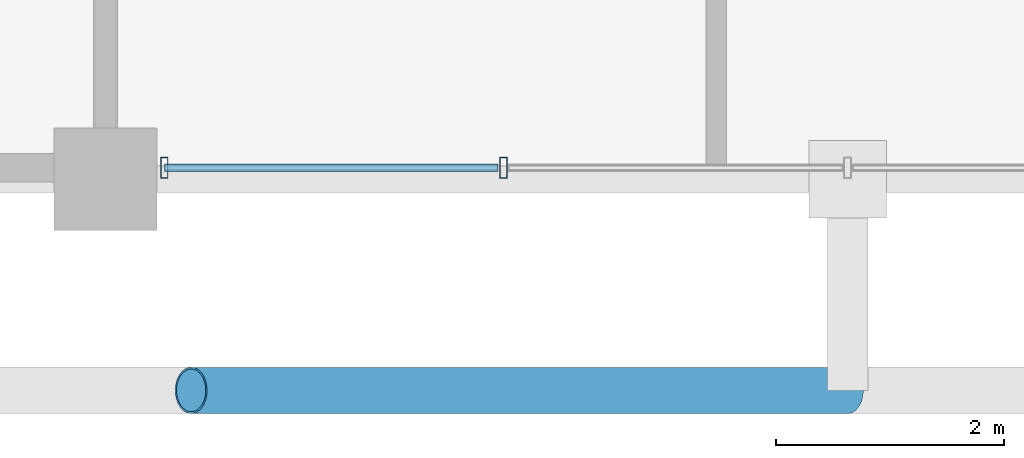
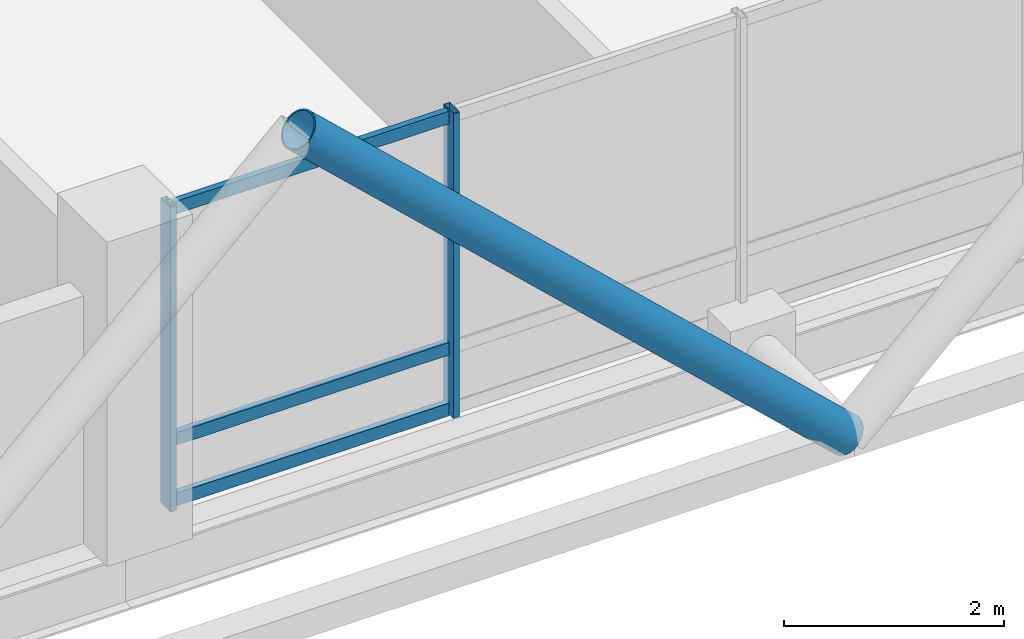
# One storey, part 2 of 24: 6 members, 1 element without a shape of its own.
"""IFC4 building model written with IfcOpenShell, lengths in metres."""

from ifc_helpers import new_model, si_unit, direction, frame, origin, origin_2d, place, context, subcontext, project, spatial, hollow_rectangle, hollow_circle, extrude, material, layer, layer_set, material_profile, profile_set, type_object, element, aggregate, save


model = new_model("IFC4")

# Units and contexts
model_context = context("Model", 3, precision=1e-05, world=origin(), true_north=direction((0.0, 1.0)))
body_context = subcontext(model_context, "Body", "Model", "MODEL_VIEW")
ifc_project = project(units=[si_unit("LENGTHUNIT", "METRE"), si_unit("AREAUNIT", "SQUARE_METRE"), si_unit("VOLUMEUNIT", "CUBIC_METRE"), si_unit("PLANEANGLEUNIT", "RADIAN"), si_unit("MASSUNIT", "GRAM", prefix="KILO")], contexts=[model_context])

# Site, building, storey
site_placement = place(None, origin())
site = spatial("IfcSite", under=ifc_project, at=site_placement, CompositionType="ELEMENT")
building_placement = place(site_placement, origin())
building = spatial("IfcBuilding", under=site, at=building_placement, Name="Barlavira Tower and Art Museum", CompositionType="ELEMENT")
storey_placement = place(building_placement, frame((0.0, 0.0, 294.300048828125)))
storey = spatial("IfcBuildingStorey", under=building, at=storey_placement, Name="L77", CompositionType="ELEMENT", Elevation=294.300048828125)

# Curtain wall, members
ifc_material_1 = material(Name="Low-iron coastal laminated glass", Category="glass")
ifc_layer = layer(ifc_material_1, 0.2099609375, Name="Low-iron coastal laminated glass")
ifc_layer_set = layer_set([ifc_layer], Name="Low-iron coastal laminated glass")
curtain_wall_type = type_object("IfcCurtainWallType", Name="Pale-Metal Unitised Curtain Wall Zone 4", PredefinedType="NOTDEFINED", material=ifc_layer_set)
curtain_wall_placement = place(storey_placement, origin())
curtain_wall = element("IfcCurtainWall", 1, at=curtain_wall_placement, inside=storey, type_object=curtain_wall_type, Name="L77 Curtain Wall CW4-L77-S-B2", PredefinedType="NOTDEFINED")
ifc_material_2 = material(Name="Pale anodised aluminium", Category="aluminium")
ifc_material_profile_1 = material_profile(ifc_material_2, hollow_rectangle(XDim=0.06494140625, YDim=0.179931640625, WallThickness=0.00390625, at=origin_2d()), Name="ALU-MULL 65x180x4")
ifc_profile_set_1 = profile_set([ifc_material_profile_1], Name="Pale anodised aluminium")
member_type_1 = type_object("IfcMemberType", Name="Curtain Wall Pale-Metal Mullion 65x180", PredefinedType="MULLION", material=ifc_profile_set_1)
member_1_placement = place(storey_placement, frame((-5.985107421875, -19.89990234375, 0.0), z_axis=(0.0, 0.0, 1.0), x_axis=(1.0, 0.0, 0.0)))
member_1 = element("IfcMember", 2, at=member_1_placement, type_object=member_type_1, Name="CW4-L77-S-B2 Mullion 0", PredefinedType="MULLION", context=body_context, shape_type="SweptSolid", body=[
    extrude(hollow_rectangle(XDim=0.06494140625, YDim=0.179931640625, WallThickness=0.00390625, at=origin_2d()), origin(), (0.0, 0.0, 1.0), 3.3798828125),
])
member_2_placement = place(storey_placement, frame((-3.014892578125, -19.89990234375, 0.0), z_axis=(0.0, 0.0, 1.0), x_axis=(1.0, 0.0, 0.0)))
member_2 = element("IfcMember", 3, at=member_2_placement, type_object=member_type_1, Name="CW4-L77-S-B2 Mullion 1", PredefinedType="MULLION", context=body_context, shape_type="SweptSolid", body=[
    extrude(hollow_rectangle(XDim=0.06494140625, YDim=0.179931640625, WallThickness=0.00390625, at=origin_2d()), origin(), (0.0, 0.0, 1.0), 3.3798828125),
])
ifc_material_profile_2 = material_profile(ifc_material_2, hollow_rectangle(XDim=0.06494140625, YDim=0.139892578125, WallThickness=0.00390625, at=origin_2d()), Name="ALU-TRAN 65x140x4")
ifc_profile_set_2 = profile_set([ifc_material_profile_2], Name="Pale anodised aluminium")
member_type_2 = type_object("IfcMemberType", Name="Curtain Wall Pale-Metal Transom 65x140", PredefinedType="USERDEFINED", material=ifc_profile_set_2)
member_3_placement = place(storey_placement, frame((-5.985107421875, -19.89990234375, 0.070068359375), z_axis=(1.0, 0.0, 0.0), x_axis=(0.0, 1.0, 0.0)))
member_3 = element("IfcMember", 4, at=member_3_placement, type_object=member_type_2, Name="CW4-L77-S-B2 Transom 0.1", ObjectType="TRANSOM", PredefinedType="USERDEFINED", context=body_context, shape_type="SweptSolid", body=[
    extrude(hollow_rectangle(XDim=0.06494140625, YDim=0.139892578125, WallThickness=0.00390625, at=origin_2d()), origin(), (0.0, 0.0, 1.0), 2.925048828125),
])
member_4_placement = place(storey_placement, frame((-5.985107421875, -19.89990234375, 0.743896484375), z_axis=(1.0, 0.0, 0.0), x_axis=(0.0, 1.0, 0.0)))
member_4 = element("IfcMember", 5, at=member_4_placement, type_object=member_type_2, Name="CW4-L77-S-B2 Transom 0.2", ObjectType="TRANSOM", PredefinedType="USERDEFINED", context=body_context, shape_type="SweptSolid", body=[
    extrude(hollow_rectangle(XDim=0.06494140625, YDim=0.139892578125, WallThickness=0.00390625, at=origin_2d()), origin(), (0.0, 0.0, 1.0), 2.925048828125),
])
member_5_placement = place(storey_placement, frame((-5.985107421875, -19.89990234375, 3.31005859375), z_axis=(1.0, 0.0, 0.0), x_axis=(0.0, 1.0, 0.0)))
member_5 = element("IfcMember", 6, at=member_5_placement, type_object=member_type_2, Name="CW4-L77-S-B2 Transom 0.3", ObjectType="TRANSOM", PredefinedType="USERDEFINED", context=body_context, shape_type="SweptSolid", body=[
    extrude(hollow_rectangle(XDim=0.06494140625, YDim=0.139892578125, WallThickness=0.00390625, at=origin_2d()), origin(), (0.0, 0.0, 1.0), 2.925048828125),
])
aggregate(curtain_wall, [member_1, member_2, member_3, member_4, member_5])

# Member
ifc_material_3 = material(Name="Steel S355", Category="steel")
ifc_material_profile_3 = material_profile(ifc_material_3, hollow_circle(Radius=0.203125, WallThickness=0.01611328125, at=origin_2d()), Name="CHS 406.4x16.0")
ifc_profile_set_3 = profile_set([ifc_material_profile_3], Name="Steel S355")
member_type_3 = type_object("IfcMemberType", Name="Pale-Metal Exoskeleton Diagrid Tube CHS 406x16 Steel S355", PredefinedType="BRACE", material=ifc_profile_set_3)
member_6_placement = place(storey_placement, frame((0.0, -21.85009765625, -0.1201171875), z_axis=(-0.728934650808, 0.0, 0.684583285548), x_axis=(0.0, -1.0, 0.0)))
element("IfcMember", 7, at=member_6_placement, inside=storey, type_object=member_type_3, Name="L77 Exoskeleton Diagrid Tube S", PredefinedType="BRACE", context=body_context, shape_type="SweptSolid", body=[
    extrude(hollow_circle(Radius=0.203125, WallThickness=0.01611328125, at=origin_2d()), origin(), (0.0, 0.0, 1.0), 7.88818359375),
])

save(model, "model.ifc")
